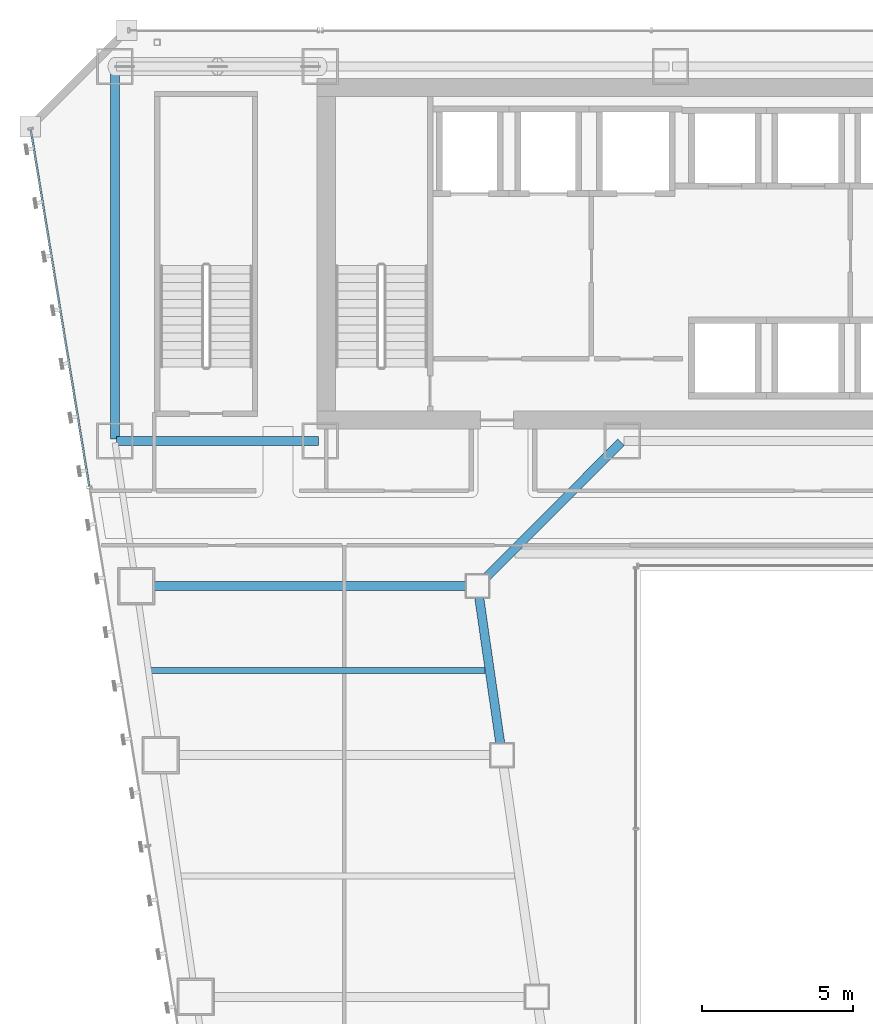
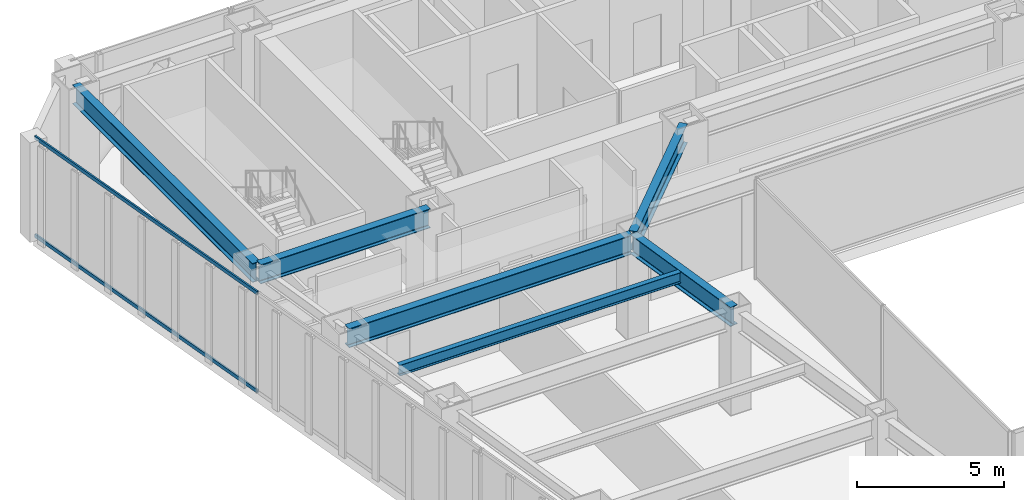
# One storey, part 23 of 49: 6 beams, 2 members, 1 element without a shape of its own.
"""IFC4 building model written with IfcOpenShell, lengths in metres."""

from ifc_helpers import new_model, si_unit, direction, frame, origin, origin_2d, place, context, subcontext, project, spatial, hollow_rectangle, i_section, extrude, material, material_profile, profile_set, type_object, element, aggregate, save


model = new_model("IFC4")

# Units and contexts
model_context = context("Model", 3, precision=1e-05, world=origin(), true_north=direction((0.0, 1.0)))
body_context = subcontext(model_context, "Body", "Model", "MODEL_VIEW")
ifc_project = project(units=[si_unit("LENGTHUNIT", "METRE"), si_unit("AREAUNIT", "SQUARE_METRE"), si_unit("VOLUMEUNIT", "CUBIC_METRE"), si_unit("PLANEANGLEUNIT", "RADIAN"), si_unit("MASSUNIT", "GRAM", prefix="KILO")], contexts=[model_context])

# Site, building, storey
site_placement = place(None, origin())
site = spatial("IfcSite", under=ifc_project, at=site_placement, CompositionType="ELEMENT")
building_placement = place(site_placement, origin())
building = spatial("IfcBuilding", under=site, at=building_placement, Name="Saevonmaru Cultural Tower", CompositionType="ELEMENT")
storey_placement = place(building_placement, frame((0.0, 0.0, 38.39990234375)))
storey = spatial("IfcBuildingStorey", under=building, at=storey_placement, Name="L07", CompositionType="ELEMENT", Elevation=38.39990234375)

# Beams
ifc_material_1 = material(Name="Steel SM420", Category="steel")
ifc_material_profile_1 = material_profile(ifc_material_1, i_section(OverallWidth=0.300048828125, OverallDepth=0.800048828125, WebThickness=0.013916015625, FlangeThickness=0.02587890625, FilletRadius=0.028076171875, at=origin_2d()), Name="H-800x300x14x26")
ifc_profile_set_1 = profile_set([ifc_material_profile_1], Name="Steel SM420")
beam_type_1 = type_object("IfcBeamType", Name="BM-G-H800", PredefinedType="BEAM", material=ifc_profile_set_1)
beam_1_placement = place(storey_placement, frame((6.860107421875, 42.39990234375, 3.75), z_axis=(1.0, 0.0, 0.0), x_axis=(0.0, 1.0, 0.0)))
element("IfcBeam", 1, at=beam_1_placement, inside=storey, type_object=beam_type_1, Name="L07 Core South Girder 1", PredefinedType="BEAM", context=body_context, shape_type="SweptSolid", body=[
    extrude(i_section(OverallWidth=0.300048828125, OverallDepth=0.800048828125, WebThickness=0.013916015625, FlangeThickness=0.02587890625, FilletRadius=0.028076171875, at=origin_2d()), origin(), (0.0, 0.0, 1.0), 6.679931640625),
])
beam_2_placement = place(storey_placement, frame((6.800048828125, 54.739990234375, 3.75), z_axis=(0.0, -1.0, 0.0), x_axis=(1.0, 0.0, 0.0)))
element("IfcBeam", 2, at=beam_2_placement, inside=storey, type_object=beam_type_1, Name="L07 Spine Transverse Girder W", PredefinedType="BEAM", context=body_context, shape_type="SweptSolid", body=[
    extrude(i_section(OverallWidth=0.300048828125, OverallDepth=0.800048828125, WebThickness=0.013916015625, FlangeThickness=0.02587890625, FilletRadius=0.028076171875, at=origin_2d()), origin(), (0.0, 0.0, 1.0), 12.280029296875),
])
beam_3_placement = place(storey_placement, frame((19.6083984375, 32.059326171875, 3.75), z_axis=(-0.142964121327, 0.989727871697, 0.0), x_axis=(-0.989727871697, -0.142964121327, 0.0)))
element("IfcBeam", 3, at=beam_3_placement, inside=storey, type_object=beam_type_1, Name="L07 West Atrium Girder 5", PredefinedType="BEAM", context=body_context, shape_type="SweptSolid", body=[
    extrude(i_section(OverallWidth=0.300048828125, OverallDepth=0.800048828125, WebThickness=0.013916015625, FlangeThickness=0.02587890625, FilletRadius=0.028076171875, at=origin_2d()), origin(), (0.0, 0.0, 1.0), 5.5380859375),
])
beam_4_placement = place(storey_placement, frame((18.850341796875, 37.642578125, 3.75), z_axis=(0.706538566564, 0.707674539572, 0.0), x_axis=(-0.707674539572, 0.706538566564, 0.0)))
element("IfcBeam", 4, at=beam_4_placement, inside=storey, type_object=beam_type_1, Name="L07 West Atrium Girder 6", PredefinedType="BEAM", context=body_context, shape_type="SweptSolid", body=[
    extrude(i_section(OverallWidth=0.300048828125, OverallDepth=0.800048828125, WebThickness=0.013916015625, FlangeThickness=0.02587890625, FilletRadius=0.028076171875, at=origin_2d()), origin(), (0.0, 0.0, 1.0), 6.662353515625),
])
beam_5_placement = place(storey_placement, frame((7.568115234375, 37.60009765625, 3.75), z_axis=(1.0, 0.0, 0.0), x_axis=(0.0, 1.0, 0.0)))
element("IfcBeam", 5, at=beam_5_placement, inside=storey, type_object=beam_type_1, Name="L07 West Wing Transverse Girder 6", PredefinedType="BEAM", context=body_context, shape_type="SweptSolid", body=[
    extrude(i_section(OverallWidth=0.300048828125, OverallDepth=0.800048828125, WebThickness=0.013916015625, FlangeThickness=0.02587890625, FilletRadius=0.028076171875, at=origin_2d()), origin(), (0.0, 0.0, 1.0), 11.179931640625),
])
ifc_material_2 = material(Name="Steel SM355", Category="steel")
ifc_material_profile_2 = material_profile(ifc_material_2, i_section(OverallWidth=0.199951171875, OverallDepth=0.449951171875, WebThickness=0.009033203125, FlangeThickness=0.013916015625, FilletRadius=0.01806640625, at=origin_2d()), Name="H-450x200x9x14")
ifc_profile_set_2 = profile_set([ifc_material_profile_2], Name="Steel SM355")
beam_type_2 = type_object("IfcBeamType", Name="BM-J-H450", PredefinedType="JOIST", material=ifc_profile_set_2)
beam_6_placement = place(storey_placement, frame((7.972412109375, 34.800048828125, 3.925048828125), z_axis=(1.0, 0.0, 0.0), x_axis=(0.0, 1.0, 0.0)))
element("IfcBeam", 6, at=beam_6_placement, inside=storey, type_object=beam_type_2, Name="L07 West Wing Floor Joist 5", PredefinedType="JOIST", context=body_context, shape_type="SweptSolid", body=[
    extrude(i_section(OverallWidth=0.199951171875, OverallDepth=0.449951171875, WebThickness=0.009033203125, FlangeThickness=0.013916015625, FilletRadius=0.01806640625, at=origin_2d()), origin(), (0.0, 0.0, 1.0), 11.08203125),
])

# Curtain wall, members
ifc_material_3 = material(Name="Satin Bronze Anodised Aluminium", Category="aluminium")
curtain_wall_type = type_object("IfcCurtainWallType", Name="CW-TYP-A", PredefinedType="NOTDEFINED", material=ifc_material_3)
curtain_wall_placement = place(storey_placement, origin())
curtain_wall = element("IfcCurtainWall", 7, at=curtain_wall_placement, inside=storey, type_object=curtain_wall_type, Name="L07 Unitised Curtain Wall E12", PredefinedType="NOTDEFINED")
ifc_material_profile_3 = material_profile(ifc_material_3, hollow_rectangle(XDim=0.06494140625, YDim=0.14990234375, WallThickness=0.00390625, at=origin_2d()), Name="ALU-TRAN-150x65x4")
ifc_profile_set_3 = profile_set([ifc_material_profile_3], Name="Satin Bronze Anodised Aluminium")
member_type = type_object("IfcMemberType", Name="TR-CW-150x65", PredefinedType="USERDEFINED", material=ifc_profile_set_3)
member_1_placement = place(storey_placement, frame((4.014892578125, 52.708740234375, 0.03271484375), z_axis=(0.161724530373, -0.986835941925, 0.0), x_axis=(0.986835941925, 0.161724530373, 0.0)))
member_1 = element("IfcMember", 8, at=member_1_placement, type_object=member_type, Name="CW-TW-L07-E12 transom 1.1", ObjectType="TRANSOM", PredefinedType="USERDEFINED", context=body_context, shape_type="SweptSolid", body=[
    extrude(hollow_rectangle(XDim=0.06494140625, YDim=0.14990234375, WallThickness=0.00390625, at=origin_2d()), origin(), (0.0, 0.0, 1.0), 11.963623046875),
])
member_2_placement = place(storey_placement, frame((4.014892578125, 52.708740234375, 4.11767578125), z_axis=(0.161724530373, -0.986835941925, 0.0), x_axis=(0.986835941925, 0.161724530373, 0.0)))
member_2 = element("IfcMember", 9, at=member_2_placement, type_object=member_type, Name="CW-TW-L07-E12 transom 1.2", ObjectType="TRANSOM", PredefinedType="USERDEFINED", context=body_context, shape_type="SweptSolid", body=[
    extrude(hollow_rectangle(XDim=0.06494140625, YDim=0.14990234375, WallThickness=0.00390625, at=origin_2d()), origin(), (0.0, 0.0, 1.0), 11.963623046875),
])
aggregate(curtain_wall, [member_1, member_2])

save(model, "model.ifc")
